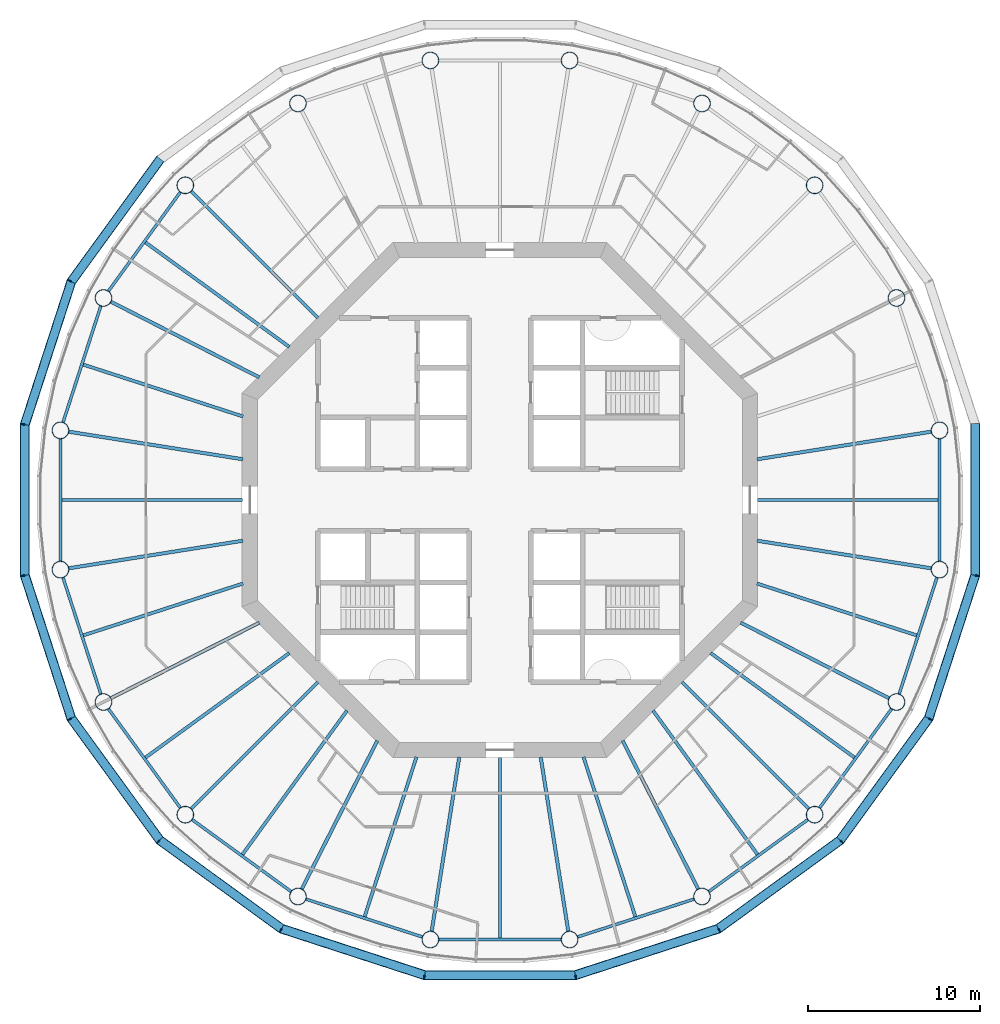
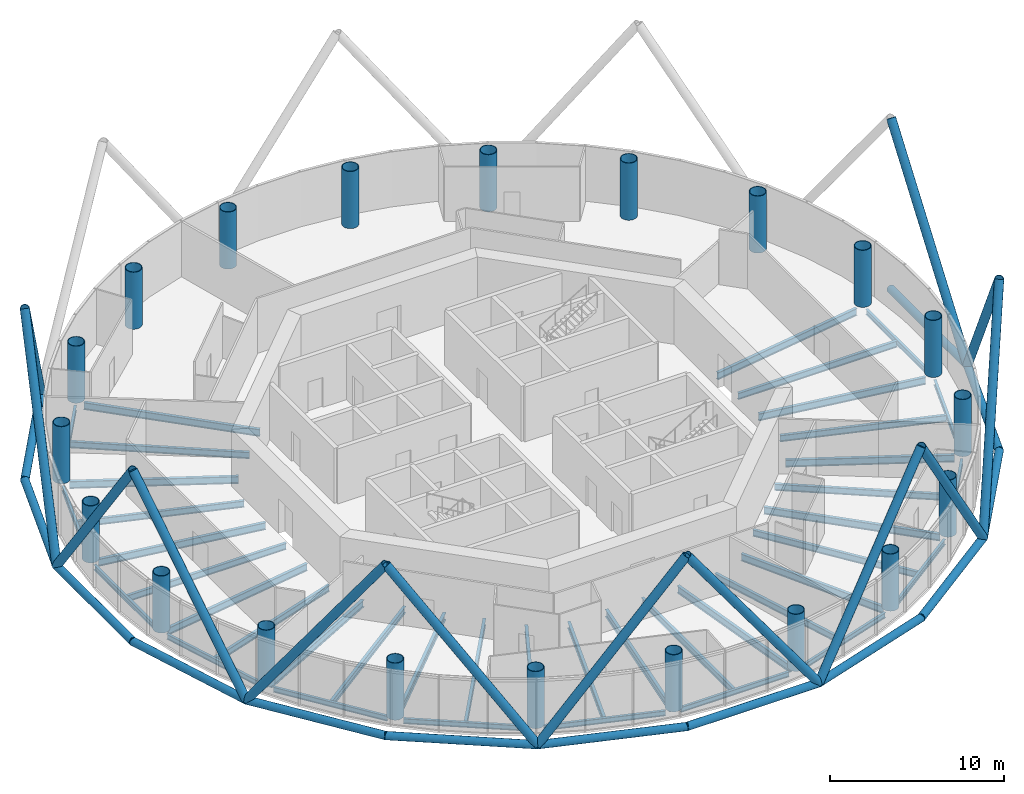
# One storey, part 1 of 13: 40 beams, 26 members, 20 columns.
"""IFC4 building model written with IfcOpenShell, lengths in metres."""

from ifc_helpers import new_model, si_unit, direction, frame, origin, origin_2d, place, context, subcontext, project, spatial, circle, hollow_circle, i_section, extrude, material, material_profile, profile_set, type_object, element, save


model = new_model("IFC4")

# Units and contexts
model_context = context("Model", 3, precision=1e-05, world=origin(), true_north=direction((0.0, 1.0)))
body_context = subcontext(model_context, "Body", "Model", "MODEL_VIEW")
ifc_project = project(units=[si_unit("LENGTHUNIT", "METRE"), si_unit("AREAUNIT", "SQUARE_METRE"), si_unit("VOLUMEUNIT", "CUBIC_METRE"), si_unit("PLANEANGLEUNIT", "RADIAN"), si_unit("MASSUNIT", "GRAM", prefix="KILO")], contexts=[model_context])

# Site, building, storey
site_placement = place(None, origin())
site = spatial("IfcSite", under=ifc_project, at=site_placement, CompositionType="ELEMENT")
building_placement = place(site_placement, origin())
building = spatial("IfcBuilding", under=site, at=building_placement, Name="Entoto Ring Tower", CompositionType="ELEMENT")
storey_placement = place(building_placement, frame((0.0, 0.0, 218.0)))
storey = spatial("IfcBuildingStorey", under=building, at=storey_placement, Name="L50", CompositionType="ELEMENT", Elevation=218.0)

# Columns
ifc_material_1 = material(Name="Steel S355", Category="steel")
ifc_material_profile_1 = material_profile(ifc_material_1, hollow_circle(Radius=0.5, WallThickness=0.0400390625, at=origin_2d()), Name="CHS 1000 x 40")
ifc_material_2 = material(Name="Concrete C60/75", Category="concrete")
ifc_material_profile_2 = material_profile(ifc_material_2, circle(Radius=0.4599609375, at=origin_2d()), Name="Concrete C60/75 infill")
ifc_profile_set_1 = profile_set([ifc_material_profile_1, ifc_material_profile_2], Name="Steel S355")
column_type = type_object("IfcColumnType", Name="Ring column 1000 x 40 concrete-filled tube", PredefinedType="COLUMN", material=ifc_profile_set_1)
for number, where, z_axis, x_axis, name in (
    (1, (115.5810546875, 84.0517578125, 0.0), (0.0, 0.0, 1.0), (1.0, 0.0, 0.0), "RC4 R01"),
    (2, (113.0771484375, 91.75830078125, 0.0), (0.0, 0.0, 1.0), (1.0, 0.0, 0.0), "RC4 R02"),
    (3, (108.31396484375, 98.31396484375, 0.0), (0.0, 0.0, 1.0), (1.0, 0.0, 0.0), "RC4 R03"),
    (4, (101.75830078125, 103.0771484375, 0.0), (0.0, 0.0, 1.0), (1.0, 0.0, 0.0), "RC4 R04"),
    (5, (94.0517578125, 105.5810546875, 0.0), (0.0, 0.0, 1.0), (1.0, 0.0, 0.0), "RC4 R05"),
    (6, (85.9482421875, 105.5810546875, 0.0), (0.0, 0.0, 1.0), (1.0, 0.0, 0.0), "RC4 R06"),
    (7, (78.24169921875, 103.0771484375, 0.0), (0.0, 0.0, 1.0), (1.0, 0.0, 0.0), "RC4 R07"),
    (8, (71.68603515625, 98.31396484375, 0.0), (0.0, 0.0, 1.0), (1.0, 0.0, 0.0), "RC4 R08"),
    (9, (66.9228515625, 91.75830078125, 0.0), (0.0, 0.0, 1.0), (1.0, 0.0, 0.0), "RC4 R09"),
    (10, (64.4189453125, 84.0517578125, 0.0), (0.0, 0.0, 1.0), (1.0, 0.0, 0.0), "RC4 R10"),
    (11, (64.4189453125, 75.9482421875, 0.0), (0.0, 0.0, 1.0), (1.0, 0.0, 0.0), "RC4 R11"),
    (12, (66.9228515625, 68.24169921875, 0.0), (0.0, 0.0, 1.0), (1.0, 0.0, 0.0), "RC4 R12"),
    (13, (71.68603515625, 61.68603515625, 0.0), (0.0, 0.0, 1.0), (1.0, 0.0, 0.0), "RC4 R13"),
    (14, (78.24169921875, 56.9228515625, 0.0), (0.0, 0.0, 1.0), (1.0, 0.0, 0.0), "RC4 R14"),
    (15, (85.9482421875, 54.4189453125, 0.0), (0.0, 0.0, 1.0), (1.0, 0.0, 0.0), "RC4 R15"),
    (16, (94.0517578125, 54.4189453125, 0.0), (0.0, 0.0, 1.0), (1.0, 0.0, 0.0), "RC4 R16"),
    (17, (101.75830078125, 56.9228515625, 0.0), (0.0, 0.0, 1.0), (1.0, 0.0, 0.0), "RC4 R17"),
    (18, (108.31396484375, 61.68603515625, 0.0), (0.0, 0.0, 1.0), (1.0, 0.0, 0.0), "RC4 R18"),
    (19, (113.0771484375, 68.24169921875, 0.0), (0.0, 0.0, 1.0), (1.0, 0.0, 0.0), "RC4 R19"),
    (20, (115.5810546875, 75.9482421875, 0.0), (0.0, 0.0, 1.0), (1.0, 0.0, 0.0), "RC4 R20"),
):
    element("IfcColumn", number, at=place(storey_placement, frame(where, z_axis=z_axis, x_axis=x_axis)), inside=storey, type_object=column_type, Name=name, PredefinedType="COLUMN", context=body_context, shape_type="SweptSolid", body=[
        extrude(hollow_circle(Radius=0.5, WallThickness=0.0400390625, at=origin_2d()), origin(), (0.0, 0.0, 1.0), 4.0),
    ])

# Members
ifc_material_3 = material(Name="Steel S355", Category="steel")
ifc_material_profile_3 = material_profile(ifc_material_3, hollow_circle(Radius=0.279541015625, WallThickness=0.028076171875, at=origin_2d()), Name="CHS 559 x 28")
ifc_material_4 = material(Name="Concrete C60/75", Category="concrete")
ifc_material_profile_4 = material_profile(ifc_material_4, circle(Radius=0.25146484375, at=origin_2d()), Name="Concrete C60/75 infill")
ifc_profile_set_2 = profile_set([ifc_material_profile_3, ifc_material_profile_4], Name="Steel S355")
member_type_1 = type_object("IfcMemberType", Name="Diagrid diagonal 559 x 28 concrete-filled tube", PredefinedType="BRACE", material=ifc_profile_set_2)
for number, where, z_axis, x_axis, name in (
    (21, (70.200927734375, 99.799072265625, 0.0), (-0.346570479178, -0.477025319356, 0.807673045022), (0.809024012567, -0.587775592458, 0.0), "DG5A module 16 08"),
    (22, (62.3447265625, 84.380126953125, 0.0), (0.182200752594, 0.56076685453, 0.807677795049), (-0.95105823263, 0.309011711991, 0.0), "DG5A module 16 09"),
    (23, (62.3447265625, 84.380126953125, 0.0), (0.0, -0.589622651769, 0.807678852342), (1.0, 0.0, 0.0), "DG5A module 16 10"),
    (24, (65.0517578125, 67.288330078125, 0.0), (-0.182200752594, 0.56076685453, 0.807677795049), (-0.95105823263, -0.309011711991, 0.0), "DG5A module 16 11"),
    (25, (65.0517578125, 67.288330078125, 0.0), (0.346570479178, -0.477025319356, 0.807673045022), (0.809024012567, 0.587775592458, 0.0), "DG5A module 16 12"),
    (26, (77.288330078125, 55.0517578125, 0.0), (-0.477025319356, 0.346570479178, 0.807673045022), (-0.587775592458, -0.809024012567, 0.0), "DG5A module 16 13"),
    (27, (77.288330078125, 55.0517578125, 0.0), (0.56076685453, -0.182200752594, 0.807677795049), (0.309011711991, 0.95105823263, 0.0), "DG5A module 16 14"),
    (28, (94.380126953125, 52.3447265625, 0.0), (-0.589622651769, 0.0, 0.807678852342), (0.0, -1.0, 0.0), "DG5A module 16 15"),
    (29, (94.380126953125, 52.3447265625, 0.0), (0.56076685453, 0.182200752594, 0.807677795049), (-0.309011711991, 0.95105823263, 0.0), "DG5A module 16 16"),
    (30, (109.799072265625, 60.200927734375, 0.0), (-0.477025319356, -0.346570479178, 0.807673045022), (0.587775592458, -0.809024012567, 0.0), "DG5A module 16 17"),
    (31, (109.799072265625, 60.200927734375, 0.0), (0.346570479178, 0.477025319356, 0.807673045022), (-0.809024012567, 0.587775592458, 0.0), "DG5A module 16 18"),
    (32, (117.6552734375, 75.619873046875, 0.0), (-0.182200752594, -0.56076685453, 0.807677795049), (0.95105823263, -0.309011711991, 0.0), "DG5A module 16 19"),
    (33, (117.6552734375, 75.619873046875, 0.0), (0.0, 0.589622651769, 0.807678852342), (-1.0, 0.0, 0.0), "DG5A module 16 20"),
):
    element("IfcMember", number, at=place(storey_placement, frame(where, z_axis=z_axis, x_axis=x_axis)), inside=storey, type_object=member_type_1, Name=name, PredefinedType="BRACE", context=body_context, shape_type="SweptSolid", body=[
        extrude(hollow_circle(Radius=0.279541015625, WallThickness=0.028076171875, at=origin_2d()), origin(), (0.0, 0.0, 1.0), 14.857421875),
    ])
ifc_material_5 = material(Name="Steel S355", Category="steel")
ifc_material_profile_5 = material_profile(ifc_material_5, hollow_circle(Radius=0.25390625, WallThickness=0.030029296875, at=origin_2d()), Name="CHS 508 x 30")
ifc_material_6 = material(Name="Concrete C60/75", Category="concrete")
ifc_material_profile_6 = material_profile(ifc_material_6, circle(Radius=0.22412109375, at=origin_2d()), Name="Concrete C60/75 infill")
ifc_profile_set_3 = profile_set([ifc_material_profile_5, ifc_material_profile_6], Name="Steel S355")
member_type_2 = type_object("IfcMemberType", Name="Diagrid ring beam 508 x 30", PredefinedType="CHORD", material=ifc_profile_set_3)
for number, where, z_axis, x_axis, name in (
    (34, (70.236328125, 99.84765625, 0.0), (-0.587790766961, -0.809012987705, 0.0), (0.809012987705, -0.587790766961, 0.0), "DR2 ring 15 07"),
    (35, (65.0703125, 92.76904296875, 0.0), (-0.309002151976, -0.951061338755, 0.0), (0.951061338755, -0.309002151976, 0.0), "DR2 ring 15 08"),
):
    element("IfcMember", number, at=place(storey_placement, frame(where, z_axis=z_axis, x_axis=x_axis)), inside=storey, type_object=member_type_2, Name=name, PredefinedType="CHORD", context=body_context, shape_type="SweptSolid", body=[
        extrude(hollow_circle(Radius=0.25390625, WallThickness=0.030029296875, at=origin_2d()), origin(), (0.0, 0.0, 1.0), 8.880615234375),
    ])
member_1_placement = place(storey_placement, frame((62.3447265625, 84.4404296875, 0.0), z_axis=(0.0, -1.0, 0.0), x_axis=(1.0, 0.0, 0.0)))
element("IfcMember", 36, at=member_1_placement, inside=storey, type_object=member_type_2, Name="DR2 ring 15 09", PredefinedType="CHORD", context=body_context, shape_type="SweptSolid", body=[
    extrude(hollow_circle(Radius=0.25390625, WallThickness=0.030029296875, at=origin_2d()), origin(), (0.0, 0.0, 1.0), 8.880859375),
])
for number, where, z_axis, x_axis, name in (
    (37, (62.326171875, 75.677001953125, 0.0), (0.309002151976, -0.951061338755, 0.0), (0.951061338755, 0.309002151976, 0.0), "DR2 ring 15 10"),
    (38, (65.016357421875, 67.3369140625, 0.0), (0.587790766961, -0.809012987705, 0.0), (0.809012987705, 0.587790766961, 0.0), "DR2 ring 15 11"),
    (39, (70.15234375, 60.236328125, 0.0), (0.809012987705, -0.587790766961, 0.0), (0.587790766961, 0.809012987705, 0.0), "DR2 ring 15 12"),
    (40, (77.23095703125, 55.0703125, 0.0), (0.951061338755, -0.309002151976, 0.0), (0.309002151976, 0.951061338755, 0.0), "DR2 ring 15 13"),
):
    element("IfcMember", number, at=place(storey_placement, frame(where, z_axis=z_axis, x_axis=x_axis)), inside=storey, type_object=member_type_2, Name=name, PredefinedType="CHORD", context=body_context, shape_type="SweptSolid", body=[
        extrude(hollow_circle(Radius=0.25390625, WallThickness=0.030029296875, at=origin_2d()), origin(), (0.0, 0.0, 1.0), 8.880615234375),
    ])
member_2_placement = place(storey_placement, frame((85.5595703125, 52.3447265625, 0.0), z_axis=(1.0, 0.0, 0.0), x_axis=(0.0, 1.0, 0.0)))
element("IfcMember", 41, at=member_2_placement, inside=storey, type_object=member_type_2, Name="DR2 ring 15 14", PredefinedType="CHORD", context=body_context, shape_type="SweptSolid", body=[
    extrude(hollow_circle(Radius=0.25390625, WallThickness=0.030029296875, at=origin_2d()), origin(), (0.0, 0.0, 1.0), 8.880859375),
])
for number, where, z_axis, x_axis, name in (
    (42, (94.322998046875, 52.326171875, 0.0), (0.951061338755, 0.309002151976, 0.0), (-0.309002151976, 0.951061338755, 0.0), "DR2 ring 15 15"),
    (43, (102.6630859375, 55.016357421875, 0.0), (0.809012987705, 0.587790766961, 0.0), (-0.587790766961, 0.809012987705, 0.0), "DR2 ring 15 16"),
    (44, (109.763671875, 60.15234375, 0.0), (0.587790766961, 0.809012987705, 0.0), (-0.809012987705, 0.587790766961, 0.0), "DR2 ring 15 17"),
    (45, (114.9296875, 67.23095703125, 0.0), (0.309002151976, 0.951061338755, 0.0), (-0.951061338755, 0.309002151976, 0.0), "DR2 ring 15 18"),
):
    element("IfcMember", number, at=place(storey_placement, frame(where, z_axis=z_axis, x_axis=x_axis)), inside=storey, type_object=member_type_2, Name=name, PredefinedType="CHORD", context=body_context, shape_type="SweptSolid", body=[
        extrude(hollow_circle(Radius=0.25390625, WallThickness=0.030029296875, at=origin_2d()), origin(), (0.0, 0.0, 1.0), 8.880615234375),
    ])
member_3_placement = place(storey_placement, frame((117.6552734375, 75.5595703125, 0.0), z_axis=(0.0, 1.0, 0.0), x_axis=(-1.0, 0.0, 0.0)))
element("IfcMember", 46, at=member_3_placement, inside=storey, type_object=member_type_2, Name="DR2 ring 15 19", PredefinedType="CHORD", context=body_context, shape_type="SweptSolid", body=[
    extrude(hollow_circle(Radius=0.25390625, WallThickness=0.030029296875, at=origin_2d()), origin(), (0.0, 0.0, 1.0), 8.880859375),
])

# Beams
ifc_material_7 = material(Name="Steel S355", Category="steel")
ifc_material_profile_7 = material_profile(ifc_material_7, i_section(OverallWidth=0.169921875, OverallDepth=0.360107421875, WebThickness=0.008056640625, FlangeThickness=0.0126953125, FilletRadius=0.01806640625, at=origin_2d()), Name="IPE 360")
ifc_profile_set_4 = profile_set([ifc_material_profile_7], Name="Steel S355")
beam_type_1 = type_object("IfcBeamType", Name="Edge beam IPE 360", PredefinedType="SPANDREL", material=ifc_profile_set_4)
beam_1_placement = place(storey_placement, frame((71.408203125, 97.931640625, -0.330078125), z_axis=(-0.587794432314, -0.809010324619, 0.0), x_axis=(0.809010324619, -0.587794432314, 0.0)))
element("IfcBeam", 47, at=beam_1_placement, inside=storey, type_object=beam_type_1, Name="Edge beam L50 08", PredefinedType="SPANDREL", context=body_context, shape_type="SweptSolid", body=[
    extrude(i_section(OverallWidth=0.169921875, OverallDepth=0.360107421875, WebThickness=0.008056640625, FlangeThickness=0.0126953125, FilletRadius=0.01806640625, at=origin_2d()), origin(), (0.0, 0.0, 1.0), 7.158203125),
])
beam_2_placement = place(storey_placement, frame((66.77685546875, 91.308837890625, -0.330078125), z_axis=(-0.309015118354, -0.951057125849, 0.0), x_axis=(0.951057125849, -0.309015118354, 0.0)))
element("IfcBeam", 48, at=beam_2_placement, inside=storey, type_object=beam_type_1, Name="Edge beam L50 09", PredefinedType="SPANDREL", context=body_context, shape_type="SweptSolid", body=[
    extrude(i_section(OverallWidth=0.169921875, OverallDepth=0.360107421875, WebThickness=0.008056640625, FlangeThickness=0.0126953125, FilletRadius=0.01806640625, at=origin_2d()), origin(), (0.0, 0.0, 1.0), 7.157958984375),
])
beam_3_placement = place(storey_placement, frame((64.4189453125, 83.5791015625, -0.330078125), z_axis=(0.0, -1.0, 0.0), x_axis=(1.0, 0.0, 0.0)))
element("IfcBeam", 49, at=beam_3_placement, inside=storey, type_object=beam_type_1, Name="Edge beam L50 10", PredefinedType="SPANDREL", context=body_context, shape_type="SweptSolid", body=[
    extrude(i_section(OverallWidth=0.169921875, OverallDepth=0.360107421875, WebThickness=0.008056640625, FlangeThickness=0.0126953125, FilletRadius=0.01806640625, at=origin_2d()), origin(), (0.0, 0.0, 1.0), 7.158203125),
])
beam_4_placement = place(storey_placement, frame((64.56494140625, 75.498779296875, -0.330078125), z_axis=(0.309015118354, -0.951057125849, 0.0), x_axis=(0.951057125849, 0.309015118354, 0.0)))
element("IfcBeam", 50, at=beam_4_placement, inside=storey, type_object=beam_type_1, Name="Edge beam L50 11", PredefinedType="SPANDREL", context=body_context, shape_type="SweptSolid", body=[
    extrude(i_section(OverallWidth=0.169921875, OverallDepth=0.360107421875, WebThickness=0.008056640625, FlangeThickness=0.0126953125, FilletRadius=0.01806640625, at=origin_2d()), origin(), (0.0, 0.0, 1.0), 7.157958984375),
])
for number, where, z_axis, x_axis, name in (
    (51, (67.20068359375, 67.859375, -0.330078125), (0.587794432314, -0.809010324619, 0.0), (0.809010324619, 0.587794432314, 0.0), "Edge beam L50 12"),
    (52, (72.068359375, 61.408203125, -0.330078125), (0.809010324619, -0.587794432314, 0.0), (0.587794432314, 0.809010324619, 0.0), "Edge beam L50 13"),
):
    element("IfcBeam", number, at=place(storey_placement, frame(where, z_axis=z_axis, x_axis=x_axis)), inside=storey, type_object=beam_type_1, Name=name, PredefinedType="SPANDREL", context=body_context, shape_type="SweptSolid", body=[
        extrude(i_section(OverallWidth=0.169921875, OverallDepth=0.360107421875, WebThickness=0.008056640625, FlangeThickness=0.0126953125, FilletRadius=0.01806640625, at=origin_2d()), origin(), (0.0, 0.0, 1.0), 7.158203125),
    ])
beam_5_placement = place(storey_placement, frame((78.691162109375, 56.77685546875, -0.330078125), z_axis=(0.951057125849, -0.309015118354, 0.0), x_axis=(0.309015118354, 0.951057125849, 0.0)))
element("IfcBeam", 53, at=beam_5_placement, inside=storey, type_object=beam_type_1, Name="Edge beam L50 14", PredefinedType="SPANDREL", context=body_context, shape_type="SweptSolid", body=[
    extrude(i_section(OverallWidth=0.169921875, OverallDepth=0.360107421875, WebThickness=0.008056640625, FlangeThickness=0.0126953125, FilletRadius=0.01806640625, at=origin_2d()), origin(), (0.0, 0.0, 1.0), 7.157958984375),
])
beam_6_placement = place(storey_placement, frame((86.4208984375, 54.4189453125, -0.330078125), z_axis=(1.0, 0.0, 0.0), x_axis=(0.0, 1.0, 0.0)))
element("IfcBeam", 54, at=beam_6_placement, inside=storey, type_object=beam_type_1, Name="Edge beam L50 15", PredefinedType="SPANDREL", context=body_context, shape_type="SweptSolid", body=[
    extrude(i_section(OverallWidth=0.169921875, OverallDepth=0.360107421875, WebThickness=0.008056640625, FlangeThickness=0.0126953125, FilletRadius=0.01806640625, at=origin_2d()), origin(), (0.0, 0.0, 1.0), 7.158203125),
])
beam_7_placement = place(storey_placement, frame((94.501220703125, 54.56494140625, -0.330078125), z_axis=(0.951057125849, 0.309015118354, 0.0), x_axis=(-0.309015118354, 0.951057125849, 0.0)))
element("IfcBeam", 55, at=beam_7_placement, inside=storey, type_object=beam_type_1, Name="Edge beam L50 16", PredefinedType="SPANDREL", context=body_context, shape_type="SweptSolid", body=[
    extrude(i_section(OverallWidth=0.169921875, OverallDepth=0.360107421875, WebThickness=0.008056640625, FlangeThickness=0.0126953125, FilletRadius=0.01806640625, at=origin_2d()), origin(), (0.0, 0.0, 1.0), 7.157958984375),
])
for number, where, z_axis, x_axis, name in (
    (56, (102.140625, 57.20068359375, -0.330078125), (0.809010324619, 0.587794432314, 0.0), (-0.587794432314, 0.809010324619, 0.0), "Edge beam L50 17"),
    (57, (108.591796875, 62.068359375, -0.330078125), (0.587794432314, 0.809010324619, 0.0), (-0.809010324619, 0.587794432314, 0.0), "Edge beam L50 18"),
):
    element("IfcBeam", number, at=place(storey_placement, frame(where, z_axis=z_axis, x_axis=x_axis)), inside=storey, type_object=beam_type_1, Name=name, PredefinedType="SPANDREL", context=body_context, shape_type="SweptSolid", body=[
        extrude(i_section(OverallWidth=0.169921875, OverallDepth=0.360107421875, WebThickness=0.008056640625, FlangeThickness=0.0126953125, FilletRadius=0.01806640625, at=origin_2d()), origin(), (0.0, 0.0, 1.0), 7.158203125),
    ])
beam_8_placement = place(storey_placement, frame((113.22314453125, 68.691162109375, -0.330078125), z_axis=(0.309015118354, 0.951057125849, 0.0), x_axis=(-0.951057125849, 0.309015118354, 0.0)))
element("IfcBeam", 58, at=beam_8_placement, inside=storey, type_object=beam_type_1, Name="Edge beam L50 19", PredefinedType="SPANDREL", context=body_context, shape_type="SweptSolid", body=[
    extrude(i_section(OverallWidth=0.169921875, OverallDepth=0.360107421875, WebThickness=0.008056640625, FlangeThickness=0.0126953125, FilletRadius=0.01806640625, at=origin_2d()), origin(), (0.0, 0.0, 1.0), 7.157958984375),
])
beam_9_placement = place(storey_placement, frame((115.5810546875, 76.4208984375, -0.330078125), z_axis=(0.0, 1.0, 0.0), x_axis=(-1.0, 0.0, 0.0)))
element("IfcBeam", 59, at=beam_9_placement, inside=storey, type_object=beam_type_1, Name="Edge beam L50 20", PredefinedType="SPANDREL", context=body_context, shape_type="SweptSolid", body=[
    extrude(i_section(OverallWidth=0.169921875, OverallDepth=0.360107421875, WebThickness=0.008056640625, FlangeThickness=0.0126953125, FilletRadius=0.01806640625, at=origin_2d()), origin(), (0.0, 0.0, 1.0), 7.158203125),
])
ifc_material_8 = material(Name="Steel S355", Category="steel")
ifc_material_profile_8 = material_profile(ifc_material_8, i_section(OverallWidth=0.199951171875, OverallDepth=0.5, WebThickness=0.01025390625, FlangeThickness=0.01611328125, FilletRadius=0.02099609375, at=origin_2d()), Name="IPE 500")
ifc_profile_set_5 = profile_set([ifc_material_profile_8], Name="Steel S355")
beam_type_2 = type_object("IfcBeamType", Name="Primary floor beam IPE 500", PredefinedType="BEAM", material=ifc_profile_set_5)
beam_10_placement = place(storey_placement, frame((104.964599609375, 82.3701171875, -0.39990234375), z_axis=(0.987685619518, 0.156451644281, 0.0), x_axis=(-0.156451644281, 0.987685619518, 0.0)))
element("IfcBeam", 60, at=beam_10_placement, inside=storey, type_object=beam_type_2, Name="Primary L50 R01", PredefinedType="BEAM", context=body_context, shape_type="SweptSolid", body=[
    extrude(i_section(OverallWidth=0.199951171875, OverallDepth=0.5, WebThickness=0.01025390625, FlangeThickness=0.01611328125, FilletRadius=0.02099609375, at=origin_2d()), origin(), (0.0, 0.0, 1.0), 10.27880859375),
])
beam_11_placement = place(storey_placement, frame((79.407470703125, 90.592529296875, -0.39990234375), z_axis=(-0.707106781187, 0.707106781187, 0.0), x_axis=(-0.707106781187, -0.707106781187, 0.0)))
element("IfcBeam", 61, at=beam_11_placement, inside=storey, type_object=beam_type_2, Name="Primary L50 R08", PredefinedType="BEAM", context=body_context, shape_type="SweptSolid", body=[
    extrude(i_section(OverallWidth=0.199951171875, OverallDepth=0.5, WebThickness=0.01025390625, FlangeThickness=0.01611328125, FilletRadius=0.02099609375, at=origin_2d()), origin(), (0.0, 0.0, 1.0), 10.4501953125),
])
beam_12_placement = place(storey_placement, frame((75.993896484375, 87.136474609375, -0.39990234375), z_axis=(-0.891012442297, 0.45397888461, 0.0), x_axis=(-0.45397888461, -0.891012442297, 0.0)))
element("IfcBeam", 62, at=beam_12_placement, inside=storey, type_object=beam_type_2, Name="Primary L50 R09", PredefinedType="BEAM", context=body_context, shape_type="SweptSolid", body=[
    extrude(i_section(OverallWidth=0.199951171875, OverallDepth=0.5, WebThickness=0.01025390625, FlangeThickness=0.01611328125, FilletRadius=0.02099609375, at=origin_2d()), origin(), (0.0, 0.0, 1.0), 9.710693359375),
])
for number, where, z_axis, x_axis, name in (
    (63, (75.035400390625, 82.3701171875, -0.39990234375), (-0.987685619518, 0.156451644281, 0.0), (-0.156451644281, -0.987685619518, 0.0), "Primary L50 R10"),
    (64, (75.035400390625, 77.6298828125, -0.39990234375), (-0.987685619518, -0.156451644281, 0.0), (0.156451644281, -0.987685619518, 0.0), "Primary L50 R11"),
):
    element("IfcBeam", number, at=place(storey_placement, frame(where, z_axis=z_axis, x_axis=x_axis)), inside=storey, type_object=beam_type_2, Name=name, PredefinedType="BEAM", context=body_context, shape_type="SweptSolid", body=[
        extrude(i_section(OverallWidth=0.199951171875, OverallDepth=0.5, WebThickness=0.01025390625, FlangeThickness=0.01611328125, FilletRadius=0.02099609375, at=origin_2d()), origin(), (0.0, 0.0, 1.0), 10.27880859375),
    ])
beam_13_placement = place(storey_placement, frame((75.993896484375, 72.863525390625, -0.39990234375), z_axis=(-0.891012442297, -0.45397888461, 0.0), x_axis=(0.45397888461, -0.891012442297, 0.0)))
element("IfcBeam", 65, at=beam_13_placement, inside=storey, type_object=beam_type_2, Name="Primary L50 R12", PredefinedType="BEAM", context=body_context, shape_type="SweptSolid", body=[
    extrude(i_section(OverallWidth=0.199951171875, OverallDepth=0.5, WebThickness=0.01025390625, FlangeThickness=0.01611328125, FilletRadius=0.02099609375, at=origin_2d()), origin(), (0.0, 0.0, 1.0), 9.710693359375),
])
beam_14_placement = place(storey_placement, frame((79.407470703125, 69.407470703125, -0.39990234375), z_axis=(-0.707106781187, -0.707106781187, 0.0), x_axis=(0.707106781187, -0.707106781187, 0.0)))
element("IfcBeam", 66, at=beam_14_placement, inside=storey, type_object=beam_type_2, Name="Primary L50 R13", PredefinedType="BEAM", context=body_context, shape_type="SweptSolid", body=[
    extrude(i_section(OverallWidth=0.199951171875, OverallDepth=0.5, WebThickness=0.01025390625, FlangeThickness=0.01611328125, FilletRadius=0.02099609375, at=origin_2d()), origin(), (0.0, 0.0, 1.0), 10.4501953125),
])
beam_15_placement = place(storey_placement, frame((82.863525390625, 65.993896484375, -0.39990234375), z_axis=(-0.45397888461, -0.891012442297, 0.0), x_axis=(0.891012442297, -0.45397888461, 0.0)))
element("IfcBeam", 67, at=beam_15_placement, inside=storey, type_object=beam_type_2, Name="Primary L50 R14", PredefinedType="BEAM", context=body_context, shape_type="SweptSolid", body=[
    extrude(i_section(OverallWidth=0.199951171875, OverallDepth=0.5, WebThickness=0.01025390625, FlangeThickness=0.01611328125, FilletRadius=0.02099609375, at=origin_2d()), origin(), (0.0, 0.0, 1.0), 9.710693359375),
])
for number, where, z_axis, x_axis, name in (
    (68, (87.6298828125, 65.035400390625, -0.39990234375), (-0.156451644281, -0.987685619518, 0.0), (0.987685619518, -0.156451644281, 0.0), "Primary L50 R15"),
    (69, (92.3701171875, 65.035400390625, -0.39990234375), (0.156451644281, -0.987685619518, 0.0), (0.987685619518, 0.156451644281, 0.0), "Primary L50 R16"),
):
    element("IfcBeam", number, at=place(storey_placement, frame(where, z_axis=z_axis, x_axis=x_axis)), inside=storey, type_object=beam_type_2, Name=name, PredefinedType="BEAM", context=body_context, shape_type="SweptSolid", body=[
        extrude(i_section(OverallWidth=0.199951171875, OverallDepth=0.5, WebThickness=0.01025390625, FlangeThickness=0.01611328125, FilletRadius=0.02099609375, at=origin_2d()), origin(), (0.0, 0.0, 1.0), 10.27880859375),
    ])
beam_16_placement = place(storey_placement, frame((97.136474609375, 65.993896484375, -0.39990234375), z_axis=(0.45397888461, -0.891012442297, 0.0), x_axis=(0.891012442297, 0.45397888461, 0.0)))
element("IfcBeam", 70, at=beam_16_placement, inside=storey, type_object=beam_type_2, Name="Primary L50 R17", PredefinedType="BEAM", context=body_context, shape_type="SweptSolid", body=[
    extrude(i_section(OverallWidth=0.199951171875, OverallDepth=0.5, WebThickness=0.01025390625, FlangeThickness=0.01611328125, FilletRadius=0.02099609375, at=origin_2d()), origin(), (0.0, 0.0, 1.0), 9.710693359375),
])
beam_17_placement = place(storey_placement, frame((100.592529296875, 69.407470703125, -0.39990234375), z_axis=(0.707106781187, -0.707106781187, 0.0), x_axis=(0.707106781187, 0.707106781187, 0.0)))
element("IfcBeam", 71, at=beam_17_placement, inside=storey, type_object=beam_type_2, Name="Primary L50 R18", PredefinedType="BEAM", context=body_context, shape_type="SweptSolid", body=[
    extrude(i_section(OverallWidth=0.199951171875, OverallDepth=0.5, WebThickness=0.01025390625, FlangeThickness=0.01611328125, FilletRadius=0.02099609375, at=origin_2d()), origin(), (0.0, 0.0, 1.0), 10.4501953125),
])
beam_18_placement = place(storey_placement, frame((104.006103515625, 72.863525390625, -0.39990234375), z_axis=(0.891012442297, -0.45397888461, 0.0), x_axis=(0.45397888461, 0.891012442297, 0.0)))
element("IfcBeam", 72, at=beam_18_placement, inside=storey, type_object=beam_type_2, Name="Primary L50 R19", PredefinedType="BEAM", context=body_context, shape_type="SweptSolid", body=[
    extrude(i_section(OverallWidth=0.199951171875, OverallDepth=0.5, WebThickness=0.01025390625, FlangeThickness=0.01611328125, FilletRadius=0.02099609375, at=origin_2d()), origin(), (0.0, 0.0, 1.0), 9.710693359375),
])
beam_19_placement = place(storey_placement, frame((104.964599609375, 77.6298828125, -0.39990234375), z_axis=(0.987685619518, -0.156451644281, 0.0), x_axis=(0.156451644281, 0.987685619518, 0.0)))
element("IfcBeam", 73, at=beam_19_placement, inside=storey, type_object=beam_type_2, Name="Primary L50 R20", PredefinedType="BEAM", context=body_context, shape_type="SweptSolid", body=[
    extrude(i_section(OverallWidth=0.199951171875, OverallDepth=0.5, WebThickness=0.01025390625, FlangeThickness=0.01611328125, FilletRadius=0.02099609375, at=origin_2d()), origin(), (0.0, 0.0, 1.0), 10.27880859375),
])
ifc_material_9 = material(Name="Steel S355", Category="steel")
ifc_material_profile_9 = material_profile(ifc_material_9, i_section(OverallWidth=0.18994140625, OverallDepth=0.449951171875, WebThickness=0.009521484375, FlangeThickness=0.0146484375, FilletRadius=0.02099609375, at=origin_2d()), Name="IPE 450")
ifc_profile_set_6 = profile_set([ifc_material_profile_9], Name="Steel S355")
beam_type_3 = type_object("IfcBeamType", Name="Secondary floor beam IPE 450", PredefinedType="JOIST", material=ifc_profile_set_6)
beam_20_placement = place(storey_placement, frame((77.741943359375, 88.906005859375, -0.375), z_axis=(-0.809010538485, 0.58779413796, 0.0), x_axis=(-0.58779413796, -0.809010538485, 0.0)))
element("IfcBeam", 74, at=beam_20_placement, inside=storey, type_object=beam_type_3, Name="Secondary beam L50 08", PredefinedType="JOIST", context=body_context, shape_type="SweptSolid", body=[
    extrude(i_section(OverallWidth=0.18994140625, OverallDepth=0.449951171875, WebThickness=0.009521484375, FlangeThickness=0.0146484375, FilletRadius=0.02099609375, at=origin_2d()), origin(), (0.0, 0.0, 1.0), 10.34423828125),
])
beam_21_placement = place(storey_placement, frame((75.04833984375, 84.858154296875, -0.375), z_axis=(-0.951061045963, 0.309003053144, 0.0), x_axis=(-0.309003053144, -0.951061045963, 0.0)))
element("IfcBeam", 75, at=beam_21_placement, inside=storey, type_object=beam_type_3, Name="Secondary beam L50 09", PredefinedType="JOIST", context=body_context, shape_type="SweptSolid", body=[
    extrude(i_section(OverallWidth=0.18994140625, OverallDepth=0.449951171875, WebThickness=0.009521484375, FlangeThickness=0.0146484375, FilletRadius=0.02099609375, at=origin_2d()), origin(), (0.0, 0.0, 1.0), 9.77490234375),
])
beam_22_placement = place(storey_placement, frame((75.02001953125, 80.0, -0.375), z_axis=(-1.0, 0.0, 0.0), x_axis=(0.0, -1.0, 0.0)))
element("IfcBeam", 76, at=beam_22_placement, inside=storey, type_object=beam_type_3, Name="Secondary beam L50 10", PredefinedType="JOIST", context=body_context, shape_type="SweptSolid", body=[
    extrude(i_section(OverallWidth=0.18994140625, OverallDepth=0.449951171875, WebThickness=0.009521484375, FlangeThickness=0.0146484375, FilletRadius=0.02099609375, at=origin_2d()), origin(), (0.0, 0.0, 1.0), 10.51611328125),
])
beam_23_placement = place(storey_placement, frame((75.04833984375, 75.141845703125, -0.375), z_axis=(-0.951061045963, -0.309003053144, 0.0), x_axis=(0.309003053144, -0.951061045963, 0.0)))
element("IfcBeam", 77, at=beam_23_placement, inside=storey, type_object=beam_type_3, Name="Secondary beam L50 11", PredefinedType="JOIST", context=body_context, shape_type="SweptSolid", body=[
    extrude(i_section(OverallWidth=0.18994140625, OverallDepth=0.449951171875, WebThickness=0.009521484375, FlangeThickness=0.0146484375, FilletRadius=0.02099609375, at=origin_2d()), origin(), (0.0, 0.0, 1.0), 9.77490234375),
])
for number, where, z_axis, x_axis, name in (
    (78, (77.741943359375, 71.093994140625, -0.375), (-0.809010538485, -0.58779413796, 0.0), (0.58779413796, -0.809010538485, 0.0), "Secondary beam L50 12"),
    (79, (81.093994140625, 67.741943359375, -0.375), (-0.58779413796, -0.809010538485, 0.0), (0.809010538485, -0.58779413796, 0.0), "Secondary beam L50 13"),
):
    element("IfcBeam", number, at=place(storey_placement, frame(where, z_axis=z_axis, x_axis=x_axis)), inside=storey, type_object=beam_type_3, Name=name, PredefinedType="JOIST", context=body_context, shape_type="SweptSolid", body=[
        extrude(i_section(OverallWidth=0.18994140625, OverallDepth=0.449951171875, WebThickness=0.009521484375, FlangeThickness=0.0146484375, FilletRadius=0.02099609375, at=origin_2d()), origin(), (0.0, 0.0, 1.0), 10.34423828125),
    ])
beam_24_placement = place(storey_placement, frame((85.141845703125, 65.04833984375, -0.375), z_axis=(-0.309003053144, -0.951061045963, 0.0), x_axis=(0.951061045963, -0.309003053144, 0.0)))
element("IfcBeam", 80, at=beam_24_placement, inside=storey, type_object=beam_type_3, Name="Secondary beam L50 14", PredefinedType="JOIST", context=body_context, shape_type="SweptSolid", body=[
    extrude(i_section(OverallWidth=0.18994140625, OverallDepth=0.449951171875, WebThickness=0.009521484375, FlangeThickness=0.0146484375, FilletRadius=0.02099609375, at=origin_2d()), origin(), (0.0, 0.0, 1.0), 9.77490234375),
])
beam_25_placement = place(storey_placement, frame((90.0, 65.02001953125, -0.375), z_axis=(0.0, -1.0, 0.0), x_axis=(1.0, 0.0, 0.0)))
element("IfcBeam", 81, at=beam_25_placement, inside=storey, type_object=beam_type_3, Name="Secondary beam L50 15", PredefinedType="JOIST", context=body_context, shape_type="SweptSolid", body=[
    extrude(i_section(OverallWidth=0.18994140625, OverallDepth=0.449951171875, WebThickness=0.009521484375, FlangeThickness=0.0146484375, FilletRadius=0.02099609375, at=origin_2d()), origin(), (0.0, 0.0, 1.0), 10.51611328125),
])
beam_26_placement = place(storey_placement, frame((94.858154296875, 65.04833984375, -0.375), z_axis=(0.309003053144, -0.951061045963, 0.0), x_axis=(0.951061045963, 0.309003053144, 0.0)))
element("IfcBeam", 82, at=beam_26_placement, inside=storey, type_object=beam_type_3, Name="Secondary beam L50 16", PredefinedType="JOIST", context=body_context, shape_type="SweptSolid", body=[
    extrude(i_section(OverallWidth=0.18994140625, OverallDepth=0.449951171875, WebThickness=0.009521484375, FlangeThickness=0.0146484375, FilletRadius=0.02099609375, at=origin_2d()), origin(), (0.0, 0.0, 1.0), 9.77490234375),
])
for number, where, z_axis, x_axis, name in (
    (83, (98.906005859375, 67.741943359375, -0.375), (0.58779413796, -0.809010538485, 0.0), (0.809010538485, 0.58779413796, 0.0), "Secondary beam L50 17"),
    (84, (102.258056640625, 71.093994140625, -0.375), (0.809010538485, -0.58779413796, 0.0), (0.58779413796, 0.809010538485, 0.0), "Secondary beam L50 18"),
):
    element("IfcBeam", number, at=place(storey_placement, frame(where, z_axis=z_axis, x_axis=x_axis)), inside=storey, type_object=beam_type_3, Name=name, PredefinedType="JOIST", context=body_context, shape_type="SweptSolid", body=[
        extrude(i_section(OverallWidth=0.18994140625, OverallDepth=0.449951171875, WebThickness=0.009521484375, FlangeThickness=0.0146484375, FilletRadius=0.02099609375, at=origin_2d()), origin(), (0.0, 0.0, 1.0), 10.34423828125),
    ])
beam_27_placement = place(storey_placement, frame((104.95166015625, 75.141845703125, -0.375), z_axis=(0.951061045963, -0.309003053144, 0.0), x_axis=(0.309003053144, 0.951061045963, 0.0)))
element("IfcBeam", 85, at=beam_27_placement, inside=storey, type_object=beam_type_3, Name="Secondary beam L50 19", PredefinedType="JOIST", context=body_context, shape_type="SweptSolid", body=[
    extrude(i_section(OverallWidth=0.18994140625, OverallDepth=0.449951171875, WebThickness=0.009521484375, FlangeThickness=0.0146484375, FilletRadius=0.02099609375, at=origin_2d()), origin(), (0.0, 0.0, 1.0), 9.77490234375),
])
beam_28_placement = place(storey_placement, frame((104.97998046875, 80.0, -0.375), z_axis=(1.0, 0.0, 0.0), x_axis=(0.0, 1.0, 0.0)))
element("IfcBeam", 86, at=beam_28_placement, inside=storey, type_object=beam_type_3, Name="Secondary beam L50 20", PredefinedType="JOIST", context=body_context, shape_type="SweptSolid", body=[
    extrude(i_section(OverallWidth=0.18994140625, OverallDepth=0.449951171875, WebThickness=0.009521484375, FlangeThickness=0.0146484375, FilletRadius=0.02099609375, at=origin_2d()), origin(), (0.0, 0.0, 1.0), 10.51611328125),
])

save(model, "model.ifc")
